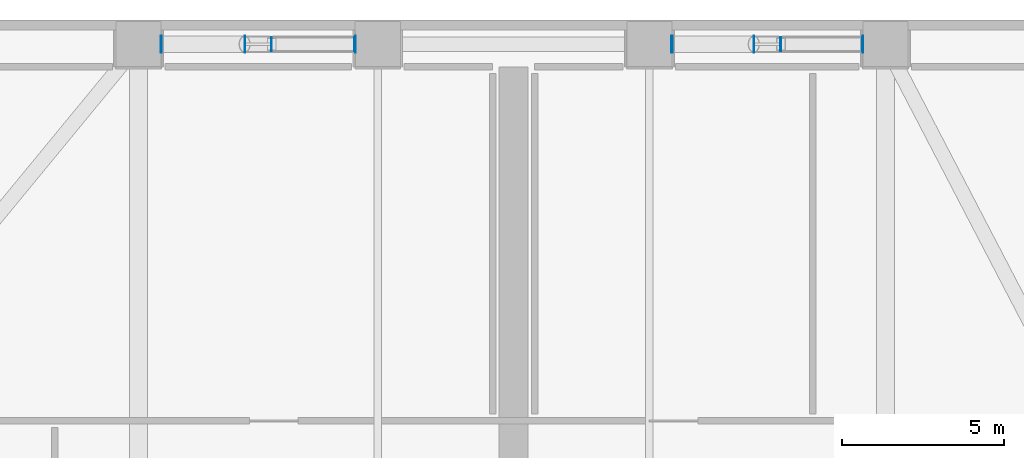
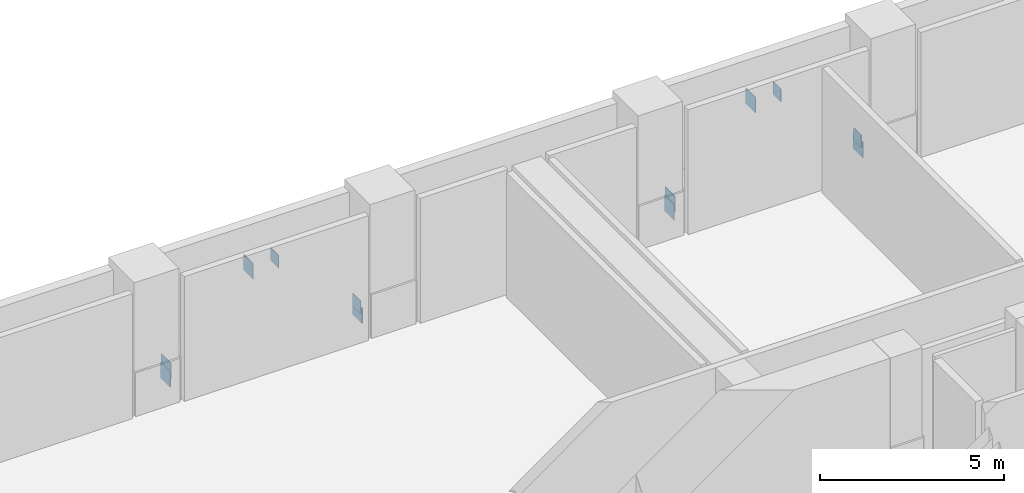
# One storey, part 6 of 11: 12 plates.
"""IFC4 building model written with IfcOpenShell, lengths in metres."""

from ifc_helpers import new_model, si_unit, direction, frame, origin, origin_2d, place, context, subcontext, project, spatial, rectangle, extrude, material, layer, layer_set, type_object, element, save


model = new_model("IFC4")

# Units and contexts
model_context = context("Model", 3, precision=1e-05, world=origin(), true_north=direction((0.0, 1.0)))
body_context = subcontext(model_context, "Body", "Model", "MODEL_VIEW")
ifc_project = project(units=[si_unit("LENGTHUNIT", "METRE"), si_unit("AREAUNIT", "SQUARE_METRE"), si_unit("VOLUMEUNIT", "CUBIC_METRE"), si_unit("PLANEANGLEUNIT", "RADIAN"), si_unit("MASSUNIT", "GRAM", prefix="KILO")], contexts=[model_context])

# Site, building, storey
site_placement = place(None, origin())
site = spatial("IfcSite", under=ifc_project, at=site_placement, CompositionType="ELEMENT")
building_placement = place(site_placement, origin())
building = spatial("IfcBuilding", under=site, at=building_placement, Name="Solanera Arch Residences", CompositionType="ELEMENT")
storey_placement = place(building_placement, frame((0.0, 0.0, 88.39990234375)))
storey = spatial("IfcBuildingStorey", under=building, at=storey_placement, Name="L25", CompositionType="ELEMENT", Elevation=88.39990234375)

# Plates
ifc_material = material(Name="Steel S355 (ASTM A992 / A572 Grade 50)", Category="steel")
ifc_layer = layer(ifc_material, 0.02001953125)
ifc_layer_set = layer_set([ifc_layer], Name="Steel S355 (ASTM A992 / A572 Grade 50)")
plate_type = type_object("IfcPlateType", Name="End Cap Plate EC-20", PredefinedType="USERDEFINED", material=ifc_layer_set)
for number, where, z_axis, x_axis, name in (
    (1, (14.090087890625, 52.949951171875, 0.190185546875), (0.0, 0.0, 1.0), (-1.0, 0.0, 0.0), "Hollow Section End Cap 133"),
    (2, (20.110107421875, 52.949951171875, 0.190185546875), (0.0, 0.0, 1.0), (1.0, 0.0, 0.0), "Hollow Section End Cap 134"),
):
    element("IfcPlate", number, at=place(storey_placement, frame(where, z_axis=z_axis, x_axis=x_axis)), inside=storey, type_object=plate_type, Name=name, ObjectType="STIFFENER", PredefinedType="USERDEFINED", context=body_context, shape_type="SweptSolid", body=[
        extrude(rectangle(XDim=0.02001953125, YDim=0.52001953125, at=origin_2d()), origin(), (0.0, 0.0, 1.0), 0.52001953125),
    ])
for number, where, z_axis, x_axis, name in (
    (3, (14.113037109375, 52.949951171875, 0.44921875), (0.0, 0.0, 1.0), (-1.0, 0.0, 0.0), "Hollow Section End Cap 135"),
    (4, (16.68701171875, 52.949951171875, 2.85791015625), (0.0, 0.0, 1.0), (1.0, 0.0, 0.0), "Hollow Section End Cap 136"),
):
    element("IfcPlate", number, at=place(storey_placement, frame(where, z_axis=z_axis, x_axis=x_axis)), inside=storey, type_object=plate_type, Name=name, ObjectType="STIFFENER", PredefinedType="USERDEFINED", context=body_context, shape_type="SweptSolid", body=[
        extrude(rectangle(XDim=0.02001953125, YDim=0.528076171875, at=origin_2d()), origin(), (0.0, 0.0, 1.0), 0.528076171875),
    ])
for number, where, z_axis, x_axis, name in (
    (5, (20.0869140625, 52.949951171875, 0.503173828125), (0.0, 0.0, 1.0), (1.0, 0.0, 0.0), "Hollow Section End Cap 137"),
    (6, (17.512939453125, 52.949951171875, 2.912109375), (0.0, 0.0, 1.0), (-1.0, 0.0, 0.0), "Hollow Section End Cap 138"),
):
    element("IfcPlate", number, at=place(storey_placement, frame(where, z_axis=z_axis, x_axis=x_axis)), inside=storey, type_object=plate_type, Name=name, ObjectType="STIFFENER", PredefinedType="USERDEFINED", context=body_context, shape_type="SweptSolid", body=[
        extrude(rectangle(XDim=0.02001953125, YDim=0.419921875, at=origin_2d()), origin(), (0.0, 0.0, 1.0), 0.419921875),
    ])
for number, where, z_axis, x_axis, name in (
    (7, (29.889892578125, 52.949951171875, 0.190185546875), (0.0, 0.0, 1.0), (-1.0, 0.0, 0.0), "Hollow Section End Cap 139"),
    (8, (35.81005859375, 52.949951171875, 0.190185546875), (0.0, 0.0, 1.0), (1.0, 0.0, 0.0), "Hollow Section End Cap 140"),
):
    element("IfcPlate", number, at=place(storey_placement, frame(where, z_axis=z_axis, x_axis=x_axis)), inside=storey, type_object=plate_type, Name=name, ObjectType="STIFFENER", PredefinedType="USERDEFINED", context=body_context, shape_type="SweptSolid", body=[
        extrude(rectangle(XDim=0.02001953125, YDim=0.52001953125, at=origin_2d()), origin(), (0.0, 0.0, 1.0), 0.52001953125),
    ])
for number, where, z_axis, x_axis, name in (
    (9, (29.9130859375, 52.949951171875, 0.44921875), (0.0, 0.0, 1.0), (-1.0, 0.0, 0.0), "Hollow Section End Cap 141"),
    (10, (32.43701171875, 52.949951171875, 2.85791015625), (0.0, 0.0, 1.0), (1.0, 0.0, 0.0), "Hollow Section End Cap 142"),
):
    element("IfcPlate", number, at=place(storey_placement, frame(where, z_axis=z_axis, x_axis=x_axis)), inside=storey, type_object=plate_type, Name=name, ObjectType="STIFFENER", PredefinedType="USERDEFINED", context=body_context, shape_type="SweptSolid", body=[
        extrude(rectangle(XDim=0.02001953125, YDim=0.528076171875, at=origin_2d()), origin(), (0.0, 0.0, 1.0), 0.528076171875),
    ])
for number, where, z_axis, x_axis, name in (
    (11, (35.787109375, 52.949951171875, 0.503173828125), (0.0, 0.0, 1.0), (1.0, 0.0, 0.0), "Hollow Section End Cap 143"),
    (12, (33.262939453125, 52.949951171875, 2.912109375), (0.0, 0.0, 1.0), (-1.0, 0.0, 0.0), "Hollow Section End Cap 144"),
):
    element("IfcPlate", number, at=place(storey_placement, frame(where, z_axis=z_axis, x_axis=x_axis)), inside=storey, type_object=plate_type, Name=name, ObjectType="STIFFENER", PredefinedType="USERDEFINED", context=body_context, shape_type="SweptSolid", body=[
        extrude(rectangle(XDim=0.02001953125, YDim=0.419921875, at=origin_2d()), origin(), (0.0, 0.0, 1.0), 0.419921875),
    ])

save(model, "model.ifc")
